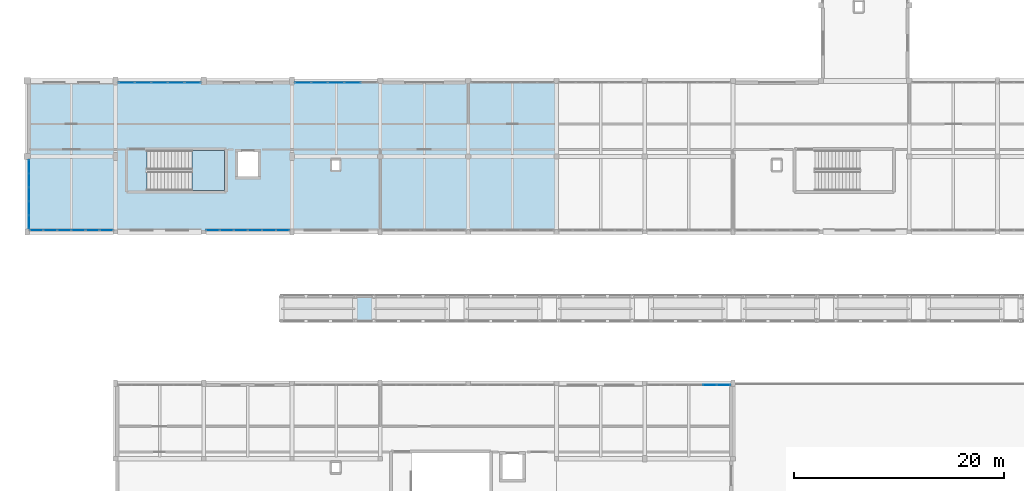
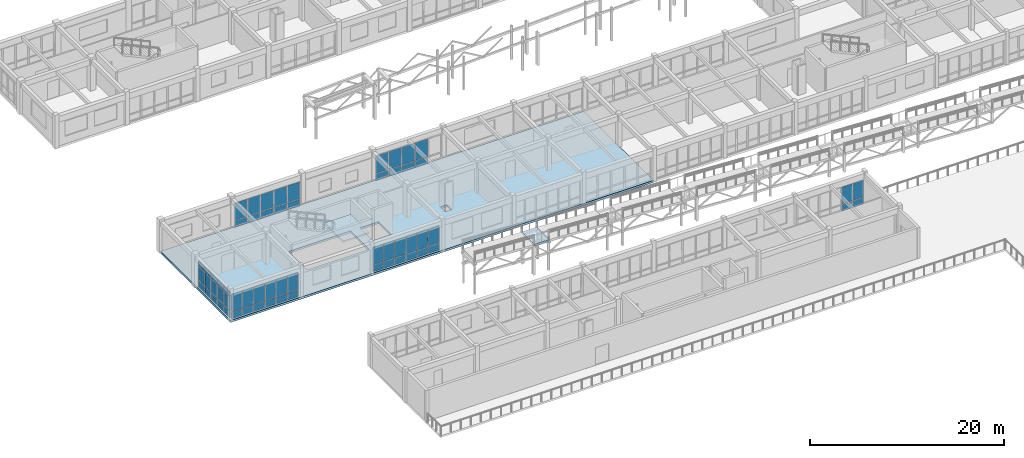
# One storey, part 61 of 89: 61 plates, 3 slabs, 8 elements without a shape of their own.
"""IFC4 building model written with IfcOpenShell, lengths in metres."""

from ifc_helpers import new_model, si_unit, direction, frame, origin, origin_2d, place, context, subcontext, project, spatial, polyline, rectangle, outline, extrude, material, layer, layer_set, type_object, element, aggregate, save


model = new_model("IFC4")

# Units and contexts
model_context = context("Model", 3, precision=1e-05, world=origin(), true_north=direction((0.0, 1.0)))
body_context = subcontext(model_context, "Body", "Model", "MODEL_VIEW")
ifc_project = project(units=[si_unit("LENGTHUNIT", "METRE"), si_unit("AREAUNIT", "SQUARE_METRE"), si_unit("VOLUMEUNIT", "CUBIC_METRE"), si_unit("PLANEANGLEUNIT", "RADIAN"), si_unit("MASSUNIT", "GRAM", prefix="KILO")], contexts=[model_context])

# Site, building, storey
site_placement = place(None, origin())
site = spatial("IfcSite", under=ifc_project, at=site_placement, CompositionType="ELEMENT")
building_placement = place(site_placement, origin())
building = spatial("IfcBuilding", under=site, at=building_placement, Name="Malvenik Polytechnic", CompositionType="ELEMENT")
storey_placement = place(building_placement, frame((0.0, 0.0, 13.5)))
storey = spatial("IfcBuildingStorey", under=building, at=storey_placement, Name="L03", CompositionType="ELEMENT", Elevation=13.5)

# Curtain wall, plates
ifc_material_1 = material(Name="Anodised aluminium 6060-T6", Category="aluminium")
curtain_wall_type_1 = type_object("IfcCurtainWallType", Name="ARC-CW-CW-02", PredefinedType="NOTDEFINED", material=ifc_material_1)
curtain_wall_1_placement = place(storey_placement, origin())
curtain_wall_1 = element("IfcCurtainWall", 1, at=curtain_wall_1_placement, inside=storey, type_object=curtain_wall_type_1, Name="Unitised Curtain Wall CW-02 L03 #162", PredefinedType="NOTDEFINED")
ifc_material_2 = material(Name="Insulated low-E double glazing 8-16-8", Category="glass")
ifc_layer_1 = layer(ifc_material_2, 0.028076171875)
ifc_layer_set_1 = layer_set([ifc_layer_1], Name="Insulated low-E double glazing 8-16-8")
plate_type_1 = type_object("IfcPlateType", Name="ARC-CWP-CP-GLZ28", PredefinedType="CURTAIN_PANEL", material=ifc_layer_set_1)
plate_1_placement = place(storey_placement, frame((9.453369140625, 93.429931640625, 0.929931640625), z_axis=(0.0, 0.0, 1.0), x_axis=(1.0, 0.0, 0.0)))
plate_1 = element("IfcPlate", 2, at=plate_1_placement, type_object=plate_type_1, Name="CW-02 panel 1.2", PredefinedType="CURTAIN_PANEL", context=body_context, shape_type="SweptSolid", body=[
    extrude(rectangle(XDim=1.49072265625, YDim=0.028076171875, at=origin_2d()), origin(), (0.0, 0.0, 1.0), 2.169921875),
])
plate_2_placement = place(storey_placement, frame((11.019287109375, 93.429931640625, 0.929931640625), z_axis=(0.0, 0.0, 1.0), x_axis=(1.0, 0.0, 0.0)))
plate_2 = element("IfcPlate", 3, at=plate_2_placement, type_object=plate_type_1, Name="CW-02 panel 2.2", PredefinedType="CURTAIN_PANEL", context=body_context, shape_type="SweptSolid", body=[
    extrude(rectangle(XDim=1.520751953125, YDim=0.028076171875, at=origin_2d()), origin(), (0.0, 0.0, 1.0), 2.169921875),
])
plate_3_placement = place(storey_placement, frame((12.60009765625, 93.429931640625, 0.929931640625), z_axis=(0.0, 0.0, 1.0), x_axis=(1.0, 0.0, 0.0)))
plate_3 = element("IfcPlate", 4, at=plate_3_placement, type_object=plate_type_1, Name="CW-02 panel 3.2", PredefinedType="CURTAIN_PANEL", context=body_context, shape_type="SweptSolid", body=[
    extrude(rectangle(XDim=1.520751953125, YDim=0.028076171875, at=origin_2d()), origin(), (0.0, 0.0, 1.0), 2.169921875),
])
plate_4_placement = place(storey_placement, frame((14.180908203125, 93.429931640625, 0.929931640625), z_axis=(0.0, 0.0, 1.0), x_axis=(1.0, 0.0, 0.0)))
plate_4 = element("IfcPlate", 5, at=plate_4_placement, type_object=plate_type_1, Name="CW-02 panel 4.2", PredefinedType="CURTAIN_PANEL", context=body_context, shape_type="SweptSolid", body=[
    extrude(rectangle(XDim=1.520751953125, YDim=0.028076171875, at=origin_2d()), origin(), (0.0, 0.0, 1.0), 2.169921875),
])
plate_5_placement = place(storey_placement, frame((15.74658203125, 93.429931640625, 0.929931640625), z_axis=(0.0, 0.0, 1.0), x_axis=(1.0, 0.0, 0.0)))
plate_5 = element("IfcPlate", 6, at=plate_5_placement, type_object=plate_type_1, Name="CW-02 panel 5.2", PredefinedType="CURTAIN_PANEL", context=body_context, shape_type="SweptSolid", body=[
    extrude(rectangle(XDim=1.49072265625, YDim=0.028076171875, at=origin_2d()), origin(), (0.0, 0.0, 1.0), 2.169921875),
])

curtain_wall_2_placement = place(storey_placement, origin())
curtain_wall_2 = element("IfcCurtainWall", 7, at=curtain_wall_2_placement, inside=storey, type_object=curtain_wall_type_1, Name="Unitised Curtain Wall CW-02 L03 #163", PredefinedType="NOTDEFINED")
plate_6_placement = place(storey_placement, frame((26.25341796875, 93.429931640625, 0.93017578125), z_axis=(0.0, 0.0, 1.0), x_axis=(1.0, 0.0, 0.0)))
plate_6 = element("IfcPlate", 8, at=plate_6_placement, type_object=plate_type_1, Name="CW-02 panel 1.2", PredefinedType="CURTAIN_PANEL", context=body_context, shape_type="SweptSolid", body=[
    extrude(rectangle(XDim=1.49072265625, YDim=0.028076171875, at=origin_2d()), origin(), (0.0, 0.0, 1.0), 2.239990234375),
])
plate_7_placement = place(storey_placement, frame((27.819091796875, 93.429931640625, 0.93017578125), z_axis=(0.0, 0.0, 1.0), x_axis=(1.0, 0.0, 0.0)))
plate_7 = element("IfcPlate", 9, at=plate_7_placement, type_object=plate_type_1, Name="CW-02 panel 2.2", PredefinedType="CURTAIN_PANEL", context=body_context, shape_type="SweptSolid", body=[
    extrude(rectangle(XDim=1.520751953125, YDim=0.028076171875, at=origin_2d()), origin(), (0.0, 0.0, 1.0), 2.239990234375),
])
plate_8_placement = place(storey_placement, frame((29.39990234375, 93.429931640625, 0.93017578125), z_axis=(0.0, 0.0, 1.0), x_axis=(1.0, 0.0, 0.0)))
plate_8 = element("IfcPlate", 10, at=plate_8_placement, type_object=plate_type_1, Name="CW-02 panel 3.2", PredefinedType="CURTAIN_PANEL", context=body_context, shape_type="SweptSolid", body=[
    extrude(rectangle(XDim=1.520751953125, YDim=0.028076171875, at=origin_2d()), origin(), (0.0, 0.0, 1.0), 2.239990234375),
])
plate_9_placement = place(storey_placement, frame((30.980712890625, 93.429931640625, 0.93017578125), z_axis=(0.0, 0.0, 1.0), x_axis=(1.0, 0.0, 0.0)))
plate_9 = element("IfcPlate", 11, at=plate_9_placement, type_object=plate_type_1, Name="CW-02 panel 4.2", PredefinedType="CURTAIN_PANEL", context=body_context, shape_type="SweptSolid", body=[
    extrude(rectangle(XDim=1.520751953125, YDim=0.028076171875, at=origin_2d()), origin(), (0.0, 0.0, 1.0), 2.239990234375),
])

curtain_wall_3_placement = place(storey_placement, origin())
curtain_wall_3 = element("IfcCurtainWall", 12, at=curtain_wall_3_placement, inside=storey, type_object=curtain_wall_type_1, Name="Unitised Curtain Wall CW-02 L03 #203", PredefinedType="NOTDEFINED")
plate_10_placement = place(storey_placement, frame((24.320068359375, 79.3701171875, 0.929931640625), z_axis=(0.0, 0.0, 1.0), x_axis=(-1.0, 0.0, 0.0)))
plate_10 = element("IfcPlate", 13, at=plate_10_placement, type_object=plate_type_1, Name="CW-02 panel 1.2", PredefinedType="CURTAIN_PANEL", context=body_context, shape_type="SweptSolid", body=[
    extrude(rectangle(XDim=1.243896484375, YDim=0.028076171875, at=origin_2d()), origin(), (0.0, 0.0, 1.0), 2.169921875),
])
plate_11_placement = place(storey_placement, frame((23.0009765625, 79.3701171875, 0.929931640625), z_axis=(0.0, 0.0, 1.0), x_axis=(-1.0, 0.0, 0.0)))
plate_11 = element("IfcPlate", 14, at=plate_11_placement, type_object=plate_type_1, Name="CW-02 panel 2.2", PredefinedType="CURTAIN_PANEL", context=body_context, shape_type="SweptSolid", body=[
    extrude(rectangle(XDim=1.27392578125, YDim=0.028076171875, at=origin_2d()), origin(), (0.0, 0.0, 1.0), 2.169921875),
])
plate_12_placement = place(storey_placement, frame((21.6669921875, 79.3701171875, 0.929931640625), z_axis=(0.0, 0.0, 1.0), x_axis=(-1.0, 0.0, 0.0)))
plate_12 = element("IfcPlate", 15, at=plate_12_placement, type_object=plate_type_1, Name="CW-02 panel 3.2", PredefinedType="CURTAIN_PANEL", context=body_context, shape_type="SweptSolid", body=[
    extrude(rectangle(XDim=1.27392578125, YDim=0.028076171875, at=origin_2d()), origin(), (0.0, 0.0, 1.0), 2.169921875),
])
plate_13_placement = place(storey_placement, frame((20.3330078125, 79.3701171875, 0.929931640625), z_axis=(0.0, 0.0, 1.0), x_axis=(-1.0, 0.0, 0.0)))
plate_13 = element("IfcPlate", 16, at=plate_13_placement, type_object=plate_type_1, Name="CW-02 panel 4.2", PredefinedType="CURTAIN_PANEL", context=body_context, shape_type="SweptSolid", body=[
    extrude(rectangle(XDim=1.27392578125, YDim=0.028076171875, at=origin_2d()), origin(), (0.0, 0.0, 1.0), 2.169921875),
])
plate_14_placement = place(storey_placement, frame((18.9990234375, 79.3701171875, 0.929931640625), z_axis=(0.0, 0.0, 1.0), x_axis=(-1.0, 0.0, 0.0)))
plate_14 = element("IfcPlate", 17, at=plate_14_placement, type_object=plate_type_1, Name="CW-02 panel 5.2", PredefinedType="CURTAIN_PANEL", context=body_context, shape_type="SweptSolid", body=[
    extrude(rectangle(XDim=1.27392578125, YDim=0.028076171875, at=origin_2d()), origin(), (0.0, 0.0, 1.0), 2.169921875),
])
plate_15_placement = place(storey_placement, frame((17.679931640625, 79.3701171875, 0.929931640625), z_axis=(0.0, 0.0, 1.0), x_axis=(-1.0, 0.0, 0.0)))
plate_15 = element("IfcPlate", 18, at=plate_15_placement, type_object=plate_type_1, Name="CW-02 panel 6.2", PredefinedType="CURTAIN_PANEL", context=body_context, shape_type="SweptSolid", body=[
    extrude(rectangle(XDim=1.243896484375, YDim=0.028076171875, at=origin_2d()), origin(), (0.0, 0.0, 1.0), 2.169921875),
])

curtain_wall_4_placement = place(storey_placement, origin())
curtain_wall_4 = element("IfcCurtainWall", 19, at=curtain_wall_4_placement, inside=storey, type_object=curtain_wall_type_1, Name="Unitised Curtain Wall CW-02 L03 #204", PredefinedType="NOTDEFINED")
plate_16_placement = place(storey_placement, frame((7.52001953125, 79.3701171875, 0.929931640625), z_axis=(0.0, 0.0, 1.0), x_axis=(-1.0, 0.0, 0.0)))
plate_16 = element("IfcPlate", 20, at=plate_16_placement, type_object=plate_type_1, Name="CW-02 panel 1.2", PredefinedType="CURTAIN_PANEL", context=body_context, shape_type="SweptSolid", body=[
    extrude(rectangle(XDim=1.243896484375, YDim=0.028076171875, at=origin_2d()), origin(), (0.0, 0.0, 1.0), 2.169921875),
])
plate_17_placement = place(storey_placement, frame((6.200927734375, 79.3701171875, 0.929931640625), z_axis=(0.0, 0.0, 1.0), x_axis=(-1.0, 0.0, 0.0)))
plate_17 = element("IfcPlate", 21, at=plate_17_placement, type_object=plate_type_1, Name="CW-02 panel 2.2", PredefinedType="CURTAIN_PANEL", context=body_context, shape_type="SweptSolid", body=[
    extrude(rectangle(XDim=1.27392578125, YDim=0.028076171875, at=origin_2d()), origin(), (0.0, 0.0, 1.0), 2.169921875),
])
plate_18_placement = place(storey_placement, frame((4.866943359375, 79.3701171875, 0.929931640625), z_axis=(0.0, 0.0, 1.0), x_axis=(-1.0, 0.0, 0.0)))
plate_18 = element("IfcPlate", 22, at=plate_18_placement, type_object=plate_type_1, Name="CW-02 panel 3.2", PredefinedType="CURTAIN_PANEL", context=body_context, shape_type="SweptSolid", body=[
    extrude(rectangle(XDim=1.27392578125, YDim=0.028076171875, at=origin_2d()), origin(), (0.0, 0.0, 1.0), 2.169921875),
])
plate_19_placement = place(storey_placement, frame((3.532958984375, 79.3701171875, 0.929931640625), z_axis=(0.0, 0.0, 1.0), x_axis=(-1.0, 0.0, 0.0)))
plate_19 = element("IfcPlate", 23, at=plate_19_placement, type_object=plate_type_1, Name="CW-02 panel 4.2", PredefinedType="CURTAIN_PANEL", context=body_context, shape_type="SweptSolid", body=[
    extrude(rectangle(XDim=1.27392578125, YDim=0.028076171875, at=origin_2d()), origin(), (0.0, 0.0, 1.0), 2.169921875),
])
plate_20_placement = place(storey_placement, frame((2.198974609375, 79.3701171875, 0.929931640625), z_axis=(0.0, 0.0, 1.0), x_axis=(-1.0, 0.0, 0.0)))
plate_20 = element("IfcPlate", 24, at=plate_20_placement, type_object=plate_type_1, Name="CW-02 panel 5.2", PredefinedType="CURTAIN_PANEL", context=body_context, shape_type="SweptSolid", body=[
    extrude(rectangle(XDim=1.27392578125, YDim=0.028076171875, at=origin_2d()), origin(), (0.0, 0.0, 1.0), 2.169921875),
])
plate_21_placement = place(storey_placement, frame((0.8798828125, 79.3701171875, 0.929931640625), z_axis=(0.0, 0.0, 1.0), x_axis=(-1.0, 0.0, 0.0)))
plate_21 = element("IfcPlate", 25, at=plate_21_placement, type_object=plate_type_1, Name="CW-02 panel 6.2", PredefinedType="CURTAIN_PANEL", context=body_context, shape_type="SweptSolid", body=[
    extrude(rectangle(XDim=1.243896484375, YDim=0.028076171875, at=origin_2d()), origin(), (0.0, 0.0, 1.0), 2.169921875),
])

curtain_wall_type_2 = type_object("IfcCurtainWallType", Name="ARC-CW-CW-05", PredefinedType="NOTDEFINED", material=ifc_material_1)
curtain_wall_5_placement = place(storey_placement, origin())
curtain_wall_5 = element("IfcCurtainWall", 26, at=curtain_wall_5_placement, inside=storey, type_object=curtain_wall_type_2, Name="Unitised Curtain Wall CW-05 L03 #205", PredefinedType="NOTDEFINED")
plate_22_placement = place(storey_placement, frame((0.169921875, 80.17333984375, 0.97998046875), z_axis=(0.0, 0.0, 1.0), x_axis=(0.0, 1.0, 0.0)))
plate_22 = element("IfcPlate", 27, at=plate_22_placement, type_object=plate_type_1, Name="CW-05 panel 1.2", PredefinedType="CURTAIN_PANEL", context=body_context, shape_type="SweptSolid", body=[
    extrude(rectangle(XDim=1.230712890625, YDim=0.028076171875, at=origin_2d()), origin(), (0.0, 0.0, 1.0), 1.699951171875),
])
plate_23_placement = place(storey_placement, frame((0.169921875, 80.17333984375, 2.739990234375), z_axis=(0.0, 0.0, 1.0), x_axis=(0.0, 1.0, 0.0)))
plate_23 = element("IfcPlate", 28, at=plate_23_placement, type_object=plate_type_1, Name="CW-05 panel 1.3", PredefinedType="CURTAIN_PANEL", context=body_context, shape_type="SweptSolid", body=[
    extrude(rectangle(XDim=1.230712890625, YDim=0.028076171875, at=origin_2d()), origin(), (0.0, 0.0, 1.0), 0.56005859375),
])
plate_24_placement = place(storey_placement, frame((0.169921875, 81.479248046875, 0.97998046875), z_axis=(0.0, 0.0, 1.0), x_axis=(0.0, 1.0, 0.0)))
plate_24 = element("IfcPlate", 29, at=plate_24_placement, type_object=plate_type_1, Name="CW-05 panel 2.2", PredefinedType="CURTAIN_PANEL", context=body_context, shape_type="SweptSolid", body=[
    extrude(rectangle(XDim=1.2607421875, YDim=0.028076171875, at=origin_2d()), origin(), (0.0, 0.0, 1.0), 1.699951171875),
])
plate_25_placement = place(storey_placement, frame((0.169921875, 81.479248046875, 2.739990234375), z_axis=(0.0, 0.0, 1.0), x_axis=(0.0, 1.0, 0.0)))
plate_25 = element("IfcPlate", 30, at=plate_25_placement, type_object=plate_type_1, Name="CW-05 panel 2.3", PredefinedType="CURTAIN_PANEL", context=body_context, shape_type="SweptSolid", body=[
    extrude(rectangle(XDim=1.2607421875, YDim=0.028076171875, at=origin_2d()), origin(), (0.0, 0.0, 1.0), 0.56005859375),
])
plate_26_placement = place(storey_placement, frame((0.169921875, 82.800048828125, 0.97998046875), z_axis=(0.0, 0.0, 1.0), x_axis=(0.0, 1.0, 0.0)))
plate_26 = element("IfcPlate", 31, at=plate_26_placement, type_object=plate_type_1, Name="CW-05 panel 3.2", PredefinedType="CURTAIN_PANEL", context=body_context, shape_type="SweptSolid", body=[
    extrude(rectangle(XDim=1.2607421875, YDim=0.028076171875, at=origin_2d()), origin(), (0.0, 0.0, 1.0), 1.699951171875),
])
plate_27_placement = place(storey_placement, frame((0.169921875, 82.800048828125, 2.739990234375), z_axis=(0.0, 0.0, 1.0), x_axis=(0.0, 1.0, 0.0)))
plate_27 = element("IfcPlate", 32, at=plate_27_placement, type_object=plate_type_1, Name="CW-05 panel 3.3", PredefinedType="CURTAIN_PANEL", context=body_context, shape_type="SweptSolid", body=[
    extrude(rectangle(XDim=1.2607421875, YDim=0.028076171875, at=origin_2d()), origin(), (0.0, 0.0, 1.0), 0.56005859375),
])
plate_28_placement = place(storey_placement, frame((0.169921875, 84.120849609375, 0.97998046875), z_axis=(0.0, 0.0, 1.0), x_axis=(0.0, 1.0, 0.0)))
plate_28 = element("IfcPlate", 33, at=plate_28_placement, type_object=plate_type_1, Name="CW-05 panel 4.2", PredefinedType="CURTAIN_PANEL", context=body_context, shape_type="SweptSolid", body=[
    extrude(rectangle(XDim=1.2607421875, YDim=0.028076171875, at=origin_2d()), origin(), (0.0, 0.0, 1.0), 1.699951171875),
])
plate_29_placement = place(storey_placement, frame((0.169921875, 84.120849609375, 2.739990234375), z_axis=(0.0, 0.0, 1.0), x_axis=(0.0, 1.0, 0.0)))
plate_29 = element("IfcPlate", 34, at=plate_29_placement, type_object=plate_type_1, Name="CW-05 panel 4.3", PredefinedType="CURTAIN_PANEL", context=body_context, shape_type="SweptSolid", body=[
    extrude(rectangle(XDim=1.2607421875, YDim=0.028076171875, at=origin_2d()), origin(), (0.0, 0.0, 1.0), 0.56005859375),
])
plate_30_placement = place(storey_placement, frame((0.169921875, 85.426513671875, 0.97998046875), z_axis=(0.0, 0.0, 1.0), x_axis=(0.0, 1.0, 0.0)))
plate_30 = element("IfcPlate", 35, at=plate_30_placement, type_object=plate_type_1, Name="CW-05 panel 5.2", PredefinedType="CURTAIN_PANEL", context=body_context, shape_type="SweptSolid", body=[
    extrude(rectangle(XDim=1.230712890625, YDim=0.028076171875, at=origin_2d()), origin(), (0.0, 0.0, 1.0), 1.699951171875),
])
plate_31_placement = place(storey_placement, frame((0.169921875, 85.426513671875, 2.739990234375), z_axis=(0.0, 0.0, 1.0), x_axis=(0.0, 1.0, 0.0)))
plate_31 = element("IfcPlate", 36, at=plate_31_placement, type_object=plate_type_1, Name="CW-05 panel 5.3", PredefinedType="CURTAIN_PANEL", context=body_context, shape_type="SweptSolid", body=[
    extrude(rectangle(XDim=1.230712890625, YDim=0.028076171875, at=origin_2d()), origin(), (0.0, 0.0, 1.0), 0.56005859375),
])

curtain_wall_6_placement = place(storey_placement, origin())
curtain_wall_6 = element("IfcCurtainWall", 37, at=curtain_wall_6_placement, inside=storey, type_object=curtain_wall_type_1, Name="Unitised Curtain Wall CW-02 L03 #210", PredefinedType="NOTDEFINED")
plate_32_placement = place(storey_placement, frame((65.0009765625, 64.6298828125, 0.929931640625), z_axis=(0.0, 0.0, 1.0), x_axis=(1.0, 0.0, 0.0)))
plate_32 = element("IfcPlate", 38, at=plate_32_placement, type_object=plate_type_1, Name="CW-02 panel 5.2", PredefinedType="CURTAIN_PANEL", context=body_context, shape_type="SweptSolid", body=[
    extrude(rectangle(XDim=1.27392578125, YDim=0.028076171875, at=origin_2d()), origin(), (0.0, 0.0, 1.0), 2.169921875),
])
plate_33_placement = place(storey_placement, frame((66.320068359375, 64.6298828125, 0.929931640625), z_axis=(0.0, 0.0, 1.0), x_axis=(1.0, 0.0, 0.0)))
plate_33 = element("IfcPlate", 39, at=plate_33_placement, type_object=plate_type_1, Name="CW-02 panel 6.2", PredefinedType="CURTAIN_PANEL", context=body_context, shape_type="SweptSolid", body=[
    extrude(rectangle(XDim=1.243896484375, YDim=0.028076171875, at=origin_2d()), origin(), (0.0, 0.0, 1.0), 2.169921875),
])

# Plate
ifc_material_3 = material(Name="Insulated aluminium spandrel cassette 42mm", Category="aluminium")
ifc_layer_2 = layer(ifc_material_3, 0.0419921875)
ifc_layer_set_2 = layer_set([ifc_layer_2], Name="Insulated aluminium spandrel cassette 42mm")
plate_type_2 = type_object("IfcPlateType", Name="ARC-CWP-CP-SPN42", PredefinedType="CURTAIN_PANEL", material=ifc_layer_set_2)
plate_34_placement = place(storey_placement, frame((9.453369140625, 93.429931640625, 0.06005859375), z_axis=(0.0, 0.0, 1.0), x_axis=(1.0, 0.0, 0.0)))
plate_34 = element("IfcPlate", 40, at=plate_34_placement, type_object=plate_type_2, Name="CW-02 panel 1.1", PredefinedType="CURTAIN_PANEL", context=body_context, shape_type="SweptSolid", body=[
    extrude(rectangle(XDim=1.49072265625, YDim=0.028076171875, at=origin_2d()), origin(), (0.0, 0.0, 1.0), 0.81005859375),
])

plate_35_placement = place(storey_placement, frame((11.019287109375, 93.429931640625, 0.06005859375), z_axis=(0.0, 0.0, 1.0), x_axis=(1.0, 0.0, 0.0)))
plate_35 = element("IfcPlate", 41, at=plate_35_placement, type_object=plate_type_2, Name="CW-02 panel 2.1", PredefinedType="CURTAIN_PANEL", context=body_context, shape_type="SweptSolid", body=[
    extrude(rectangle(XDim=1.520751953125, YDim=0.028076171875, at=origin_2d()), origin(), (0.0, 0.0, 1.0), 0.81005859375),
])

plate_36_placement = place(storey_placement, frame((12.60009765625, 93.429931640625, 0.06005859375), z_axis=(0.0, 0.0, 1.0), x_axis=(1.0, 0.0, 0.0)))
plate_36 = element("IfcPlate", 42, at=plate_36_placement, type_object=plate_type_2, Name="CW-02 panel 3.1", PredefinedType="CURTAIN_PANEL", context=body_context, shape_type="SweptSolid", body=[
    extrude(rectangle(XDim=1.520751953125, YDim=0.028076171875, at=origin_2d()), origin(), (0.0, 0.0, 1.0), 0.81005859375),
])

plate_37_placement = place(storey_placement, frame((14.180908203125, 93.429931640625, 0.06005859375), z_axis=(0.0, 0.0, 1.0), x_axis=(1.0, 0.0, 0.0)))
plate_37 = element("IfcPlate", 43, at=plate_37_placement, type_object=plate_type_2, Name="CW-02 panel 4.1", PredefinedType="CURTAIN_PANEL", context=body_context, shape_type="SweptSolid", body=[
    extrude(rectangle(XDim=1.520751953125, YDim=0.028076171875, at=origin_2d()), origin(), (0.0, 0.0, 1.0), 0.81005859375),
])

plate_38_placement = place(storey_placement, frame((15.74658203125, 93.429931640625, 0.06005859375), z_axis=(0.0, 0.0, 1.0), x_axis=(1.0, 0.0, 0.0)))
plate_38 = element("IfcPlate", 44, at=plate_38_placement, type_object=plate_type_2, Name="CW-02 panel 5.1", PredefinedType="CURTAIN_PANEL", context=body_context, shape_type="SweptSolid", body=[
    extrude(rectangle(XDim=1.49072265625, YDim=0.028076171875, at=origin_2d()), origin(), (0.0, 0.0, 1.0), 0.81005859375),
])

aggregate(curtain_wall_1, [plate_34, plate_1, plate_35, plate_2, plate_36, plate_3, plate_37, plate_4, plate_38, plate_5])

plate_39_placement = place(storey_placement, frame((26.25341796875, 93.429931640625, 0.06005859375), z_axis=(0.0, 0.0, 1.0), x_axis=(1.0, 0.0, 0.0)))
plate_39 = element("IfcPlate", 45, at=plate_39_placement, type_object=plate_type_2, Name="CW-02 panel 1.1", PredefinedType="CURTAIN_PANEL", context=body_context, shape_type="SweptSolid", body=[
    extrude(rectangle(XDim=1.49072265625, YDim=0.028076171875, at=origin_2d()), origin(), (0.0, 0.0, 1.0), 0.81005859375),
])

plate_40_placement = place(storey_placement, frame((27.819091796875, 93.429931640625, 0.06005859375), z_axis=(0.0, 0.0, 1.0), x_axis=(1.0, 0.0, 0.0)))
plate_40 = element("IfcPlate", 46, at=plate_40_placement, type_object=plate_type_2, Name="CW-02 panel 2.1", PredefinedType="CURTAIN_PANEL", context=body_context, shape_type="SweptSolid", body=[
    extrude(rectangle(XDim=1.520751953125, YDim=0.028076171875, at=origin_2d()), origin(), (0.0, 0.0, 1.0), 0.81005859375),
])

plate_41_placement = place(storey_placement, frame((29.39990234375, 93.429931640625, 0.06005859375), z_axis=(0.0, 0.0, 1.0), x_axis=(1.0, 0.0, 0.0)))
plate_41 = element("IfcPlate", 47, at=plate_41_placement, type_object=plate_type_2, Name="CW-02 panel 3.1", PredefinedType="CURTAIN_PANEL", context=body_context, shape_type="SweptSolid", body=[
    extrude(rectangle(XDim=1.520751953125, YDim=0.028076171875, at=origin_2d()), origin(), (0.0, 0.0, 1.0), 0.81005859375),
])

plate_42_placement = place(storey_placement, frame((30.980712890625, 93.429931640625, 0.06005859375), z_axis=(0.0, 0.0, 1.0), x_axis=(1.0, 0.0, 0.0)))
plate_42 = element("IfcPlate", 48, at=plate_42_placement, type_object=plate_type_2, Name="CW-02 panel 4.1", PredefinedType="CURTAIN_PANEL", context=body_context, shape_type="SweptSolid", body=[
    extrude(rectangle(XDim=1.520751953125, YDim=0.028076171875, at=origin_2d()), origin(), (0.0, 0.0, 1.0), 0.81005859375),
])

aggregate(curtain_wall_2, [plate_39, plate_6, plate_40, plate_7, plate_41, plate_8, plate_42, plate_9])

plate_43_placement = place(storey_placement, frame((24.320068359375, 79.3701171875, 0.06005859375), z_axis=(0.0, 0.0, 1.0), x_axis=(-1.0, 0.0, 0.0)))
plate_43 = element("IfcPlate", 49, at=plate_43_placement, type_object=plate_type_2, Name="CW-02 panel 1.1", PredefinedType="CURTAIN_PANEL", context=body_context, shape_type="SweptSolid", body=[
    extrude(rectangle(XDim=1.243896484375, YDim=0.028076171875, at=origin_2d()), origin(), (0.0, 0.0, 1.0), 0.81005859375),
])

plate_44_placement = place(storey_placement, frame((23.0009765625, 79.3701171875, 0.06005859375), z_axis=(0.0, 0.0, 1.0), x_axis=(-1.0, 0.0, 0.0)))
plate_44 = element("IfcPlate", 50, at=plate_44_placement, type_object=plate_type_2, Name="CW-02 panel 2.1", PredefinedType="CURTAIN_PANEL", context=body_context, shape_type="SweptSolid", body=[
    extrude(rectangle(XDim=1.27392578125, YDim=0.028076171875, at=origin_2d()), origin(), (0.0, 0.0, 1.0), 0.81005859375),
])

plate_45_placement = place(storey_placement, frame((21.6669921875, 79.3701171875, 0.06005859375), z_axis=(0.0, 0.0, 1.0), x_axis=(-1.0, 0.0, 0.0)))
plate_45 = element("IfcPlate", 51, at=plate_45_placement, type_object=plate_type_2, Name="CW-02 panel 3.1", PredefinedType="CURTAIN_PANEL", context=body_context, shape_type="SweptSolid", body=[
    extrude(rectangle(XDim=1.27392578125, YDim=0.028076171875, at=origin_2d()), origin(), (0.0, 0.0, 1.0), 0.81005859375),
])

plate_46_placement = place(storey_placement, frame((20.3330078125, 79.3701171875, 0.06005859375), z_axis=(0.0, 0.0, 1.0), x_axis=(-1.0, 0.0, 0.0)))
plate_46 = element("IfcPlate", 52, at=plate_46_placement, type_object=plate_type_2, Name="CW-02 panel 4.1", PredefinedType="CURTAIN_PANEL", context=body_context, shape_type="SweptSolid", body=[
    extrude(rectangle(XDim=1.27392578125, YDim=0.028076171875, at=origin_2d()), origin(), (0.0, 0.0, 1.0), 0.81005859375),
])

plate_47_placement = place(storey_placement, frame((18.9990234375, 79.3701171875, 0.06005859375), z_axis=(0.0, 0.0, 1.0), x_axis=(-1.0, 0.0, 0.0)))
plate_47 = element("IfcPlate", 53, at=plate_47_placement, type_object=plate_type_2, Name="CW-02 panel 5.1", PredefinedType="CURTAIN_PANEL", context=body_context, shape_type="SweptSolid", body=[
    extrude(rectangle(XDim=1.27392578125, YDim=0.028076171875, at=origin_2d()), origin(), (0.0, 0.0, 1.0), 0.81005859375),
])

plate_48_placement = place(storey_placement, frame((17.679931640625, 79.3701171875, 0.06005859375), z_axis=(0.0, 0.0, 1.0), x_axis=(-1.0, 0.0, 0.0)))
plate_48 = element("IfcPlate", 54, at=plate_48_placement, type_object=plate_type_2, Name="CW-02 panel 6.1", PredefinedType="CURTAIN_PANEL", context=body_context, shape_type="SweptSolid", body=[
    extrude(rectangle(XDim=1.243896484375, YDim=0.028076171875, at=origin_2d()), origin(), (0.0, 0.0, 1.0), 0.81005859375),
])

aggregate(curtain_wall_3, [plate_43, plate_10, plate_44, plate_11, plate_45, plate_12, plate_46, plate_13, plate_47, plate_14, plate_48, plate_15])

plate_49_placement = place(storey_placement, frame((7.52001953125, 79.3701171875, 0.06005859375), z_axis=(0.0, 0.0, 1.0), x_axis=(-1.0, 0.0, 0.0)))
plate_49 = element("IfcPlate", 55, at=plate_49_placement, type_object=plate_type_2, Name="CW-02 panel 1.1", PredefinedType="CURTAIN_PANEL", context=body_context, shape_type="SweptSolid", body=[
    extrude(rectangle(XDim=1.243896484375, YDim=0.028076171875, at=origin_2d()), origin(), (0.0, 0.0, 1.0), 0.81005859375),
])

plate_50_placement = place(storey_placement, frame((6.200927734375, 79.3701171875, 0.06005859375), z_axis=(0.0, 0.0, 1.0), x_axis=(-1.0, 0.0, 0.0)))
plate_50 = element("IfcPlate", 56, at=plate_50_placement, type_object=plate_type_2, Name="CW-02 panel 2.1", PredefinedType="CURTAIN_PANEL", context=body_context, shape_type="SweptSolid", body=[
    extrude(rectangle(XDim=1.27392578125, YDim=0.028076171875, at=origin_2d()), origin(), (0.0, 0.0, 1.0), 0.81005859375),
])

plate_51_placement = place(storey_placement, frame((4.866943359375, 79.3701171875, 0.06005859375), z_axis=(0.0, 0.0, 1.0), x_axis=(-1.0, 0.0, 0.0)))
plate_51 = element("IfcPlate", 57, at=plate_51_placement, type_object=plate_type_2, Name="CW-02 panel 3.1", PredefinedType="CURTAIN_PANEL", context=body_context, shape_type="SweptSolid", body=[
    extrude(rectangle(XDim=1.27392578125, YDim=0.028076171875, at=origin_2d()), origin(), (0.0, 0.0, 1.0), 0.81005859375),
])

plate_52_placement = place(storey_placement, frame((3.532958984375, 79.3701171875, 0.06005859375), z_axis=(0.0, 0.0, 1.0), x_axis=(-1.0, 0.0, 0.0)))
plate_52 = element("IfcPlate", 58, at=plate_52_placement, type_object=plate_type_2, Name="CW-02 panel 4.1", PredefinedType="CURTAIN_PANEL", context=body_context, shape_type="SweptSolid", body=[
    extrude(rectangle(XDim=1.27392578125, YDim=0.028076171875, at=origin_2d()), origin(), (0.0, 0.0, 1.0), 0.81005859375),
])

plate_53_placement = place(storey_placement, frame((2.198974609375, 79.3701171875, 0.06005859375), z_axis=(0.0, 0.0, 1.0), x_axis=(-1.0, 0.0, 0.0)))
plate_53 = element("IfcPlate", 59, at=plate_53_placement, type_object=plate_type_2, Name="CW-02 panel 5.1", PredefinedType="CURTAIN_PANEL", context=body_context, shape_type="SweptSolid", body=[
    extrude(rectangle(XDim=1.27392578125, YDim=0.028076171875, at=origin_2d()), origin(), (0.0, 0.0, 1.0), 0.81005859375),
])

plate_54_placement = place(storey_placement, frame((0.8798828125, 79.3701171875, 0.06005859375), z_axis=(0.0, 0.0, 1.0), x_axis=(-1.0, 0.0, 0.0)))
plate_54 = element("IfcPlate", 60, at=plate_54_placement, type_object=plate_type_2, Name="CW-02 panel 6.1", PredefinedType="CURTAIN_PANEL", context=body_context, shape_type="SweptSolid", body=[
    extrude(rectangle(XDim=1.243896484375, YDim=0.028076171875, at=origin_2d()), origin(), (0.0, 0.0, 1.0), 0.81005859375),
])

aggregate(curtain_wall_4, [plate_49, plate_16, plate_50, plate_17, plate_51, plate_18, plate_52, plate_19, plate_53, plate_20, plate_54, plate_21])

plate_55_placement = place(storey_placement, frame((0.169921875, 80.17333984375, 0.06005859375), z_axis=(0.0, 0.0, 1.0), x_axis=(0.0, 1.0, 0.0)))
plate_55 = element("IfcPlate", 61, at=plate_55_placement, type_object=plate_type_2, Name="CW-05 panel 1.1", PredefinedType="CURTAIN_PANEL", context=body_context, shape_type="SweptSolid", body=[
    extrude(rectangle(XDim=1.230712890625, YDim=0.028076171875, at=origin_2d()), origin(), (0.0, 0.0, 1.0), 0.860107421875),
])

plate_56_placement = place(storey_placement, frame((0.169921875, 81.479248046875, 0.06005859375), z_axis=(0.0, 0.0, 1.0), x_axis=(0.0, 1.0, 0.0)))
plate_56 = element("IfcPlate", 62, at=plate_56_placement, type_object=plate_type_2, Name="CW-05 panel 2.1", PredefinedType="CURTAIN_PANEL", context=body_context, shape_type="SweptSolid", body=[
    extrude(rectangle(XDim=1.2607421875, YDim=0.028076171875, at=origin_2d()), origin(), (0.0, 0.0, 1.0), 0.860107421875),
])

plate_57_placement = place(storey_placement, frame((0.169921875, 82.800048828125, 0.06005859375), z_axis=(0.0, 0.0, 1.0), x_axis=(0.0, 1.0, 0.0)))
plate_57 = element("IfcPlate", 63, at=plate_57_placement, type_object=plate_type_2, Name="CW-05 panel 3.1", PredefinedType="CURTAIN_PANEL", context=body_context, shape_type="SweptSolid", body=[
    extrude(rectangle(XDim=1.2607421875, YDim=0.028076171875, at=origin_2d()), origin(), (0.0, 0.0, 1.0), 0.860107421875),
])

plate_58_placement = place(storey_placement, frame((0.169921875, 84.120849609375, 0.06005859375), z_axis=(0.0, 0.0, 1.0), x_axis=(0.0, 1.0, 0.0)))
plate_58 = element("IfcPlate", 64, at=plate_58_placement, type_object=plate_type_2, Name="CW-05 panel 4.1", PredefinedType="CURTAIN_PANEL", context=body_context, shape_type="SweptSolid", body=[
    extrude(rectangle(XDim=1.2607421875, YDim=0.028076171875, at=origin_2d()), origin(), (0.0, 0.0, 1.0), 0.860107421875),
])

plate_59_placement = place(storey_placement, frame((0.169921875, 85.426513671875, 0.06005859375), z_axis=(0.0, 0.0, 1.0), x_axis=(0.0, 1.0, 0.0)))
plate_59 = element("IfcPlate", 65, at=plate_59_placement, type_object=plate_type_2, Name="CW-05 panel 5.1", PredefinedType="CURTAIN_PANEL", context=body_context, shape_type="SweptSolid", body=[
    extrude(rectangle(XDim=1.230712890625, YDim=0.028076171875, at=origin_2d()), origin(), (0.0, 0.0, 1.0), 0.860107421875),
])

aggregate(curtain_wall_5, [plate_55, plate_22, plate_23, plate_56, plate_24, plate_25, plate_57, plate_26, plate_27, plate_58, plate_28, plate_29, plate_59, plate_30, plate_31])

plate_60_placement = place(storey_placement, frame((65.0009765625, 64.6298828125, 0.06005859375), z_axis=(0.0, 0.0, 1.0), x_axis=(1.0, 0.0, 0.0)))
plate_60 = element("IfcPlate", 66, at=plate_60_placement, type_object=plate_type_2, Name="CW-02 panel 5.1", PredefinedType="CURTAIN_PANEL", context=body_context, shape_type="SweptSolid", body=[
    extrude(rectangle(XDim=1.27392578125, YDim=0.028076171875, at=origin_2d()), origin(), (0.0, 0.0, 1.0), 0.81005859375),
])

plate_61_placement = place(storey_placement, frame((66.320068359375, 64.6298828125, 0.06005859375), z_axis=(0.0, 0.0, 1.0), x_axis=(1.0, 0.0, 0.0)))
plate_61 = element("IfcPlate", 67, at=plate_61_placement, type_object=plate_type_2, Name="CW-02 panel 6.1", PredefinedType="CURTAIN_PANEL", context=body_context, shape_type="SweptSolid", body=[
    extrude(rectangle(XDim=1.243896484375, YDim=0.028076171875, at=origin_2d()), origin(), (0.0, 0.0, 1.0), 0.81005859375),
])

aggregate(curtain_wall_6, [plate_60, plate_32, plate_61, plate_33])

# Ramp, slab
ifc_material_4 = material(Name="Concrete C35/45", Category="concrete")
ramp_type = type_object("IfcRampType", Name="ARC-RMP-PED", PredefinedType="STRAIGHT_RUN_RAMP", material=ifc_material_4)
ramp_placement = place(storey_placement, origin())
ramp = element("IfcRamp", 68, at=ramp_placement, inside=storey, type_object=ramp_type, Name="Accessible Pedestrian Ramp RB-02", PredefinedType="STRAIGHT_RUN_RAMP")
ifc_layer_3 = layer(ifc_material_4, 0.219970703125)
ifc_layer_set_3 = layer_set([ifc_layer_3], Name="Concrete C35/45")
slab_type_1 = type_object("IfcSlabType", Name="ARC-SLB-RLND", PredefinedType="LANDING", material=ifc_layer_set_3)
slab_1_placement = place(storey_placement, frame((0.0, 0.0, 3.6298828125)))
slab_1 = element("IfcSlab", 69, at=slab_1_placement, type_object=slab_type_1, Name="Ramp Intermediate Landing RB-02 #11", PredefinedType="LANDING", context=body_context, shape_type="SweptSolid", body=[
    extrude(outline(polyline([(31.199951171875, 70.60009765625), (33.0, 70.60009765625), (33.0, 73.199951171875), (31.199951171875, 73.199951171875), (31.199951171875, 70.60009765625)])), origin(), (0.0, 0.0, 1.0), 0.22021484375),
])
aggregate(ramp, [slab_1])

# Stair, slab
stair_type = type_object("IfcStairType", Name="ARC-STR-ST-04", PredefinedType="HALF_TURN_STAIR", material=ifc_material_4)
stair_placement = place(storey_placement, origin())
stair = element("IfcStair", 70, at=stair_placement, inside=storey, type_object=stair_type, Name="L03 Escape Stair ST-04", PredefinedType="HALF_TURN_STAIR")
ifc_layer_4 = layer(ifc_material_4, 0.199951171875)
ifc_layer_set_4 = layer_set([ifc_layer_4], Name="Concrete C35/45")
slab_type_2 = type_object("IfcSlabType", Name="ARC-SLB-STLND", PredefinedType="LANDING", material=ifc_layer_set_4)
slab_2_placement = place(storey_placement, frame((0.0, 0.0, 1.89990234375)))
slab_2 = element("IfcSlab", 71, at=slab_2_placement, type_object=slab_type_2, Name="ST-04 landing 1", PredefinedType="LANDING", context=body_context, shape_type="SweptSolid", body=[
    extrude(outline(polyline([(15.68994140625, 83.14990234375), (18.800048828125, 83.14990234375), (18.800048828125, 86.949951171875), (15.68994140625, 86.949951171875), (15.68994140625, 83.14990234375)])), origin(), (0.0, 0.0, 1.0), 0.2001953125),
])
aggregate(stair, [slab_2])

# Slab
ifc_layer_5 = layer(ifc_material_4, 0.260009765625)
ifc_layer_set_5 = layer_set([ifc_layer_5], Name="Concrete C35/45")
slab_type_3 = type_object("IfcSlabType", Name="STR-SLB-FLR-260", PredefinedType="FLOOR", material=ifc_layer_set_5)
slab_3_placement = place(storey_placement, frame((0.0, 0.0, -0.260009765625)))
element("IfcSlab", 72, at=slab_3_placement, inside=storey, type_object=slab_type_3, Name="Structural Slab L03-V2 #83", PredefinedType="FLOOR", context=body_context, shape_type="SweptSolid", body=[
    extrude(outline(polyline([(50.3798828125, 93.60009765625), (50.3798828125, 79.199951171875), (0.0, 79.199951171875), (0.0, 93.60009765625), (50.3798828125, 93.60009765625)]), holes=[polyline([(18.800048828125, 83.14990234375), (18.800048828125, 86.949951171875), (11.41796875, 86.949951171875), (11.41796875, 83.14990234375), (18.800048828125, 83.14990234375)]), polyline([(29.75, 86.050048828125), (29.0, 86.050048828125), (29.0, 85.10009765625), (29.75, 85.10009765625), (29.75, 86.050048828125)]), polyline([(19.89990234375, 86.949951171875), (19.89990234375, 84.35009765625), (22.10009765625, 84.35009765625), (22.10009765625, 86.949951171875), (19.89990234375, 86.949951171875)])]), origin(), (0.0, 0.0, 1.0), 0.260009765625),
])

save(model, "model.ifc")
